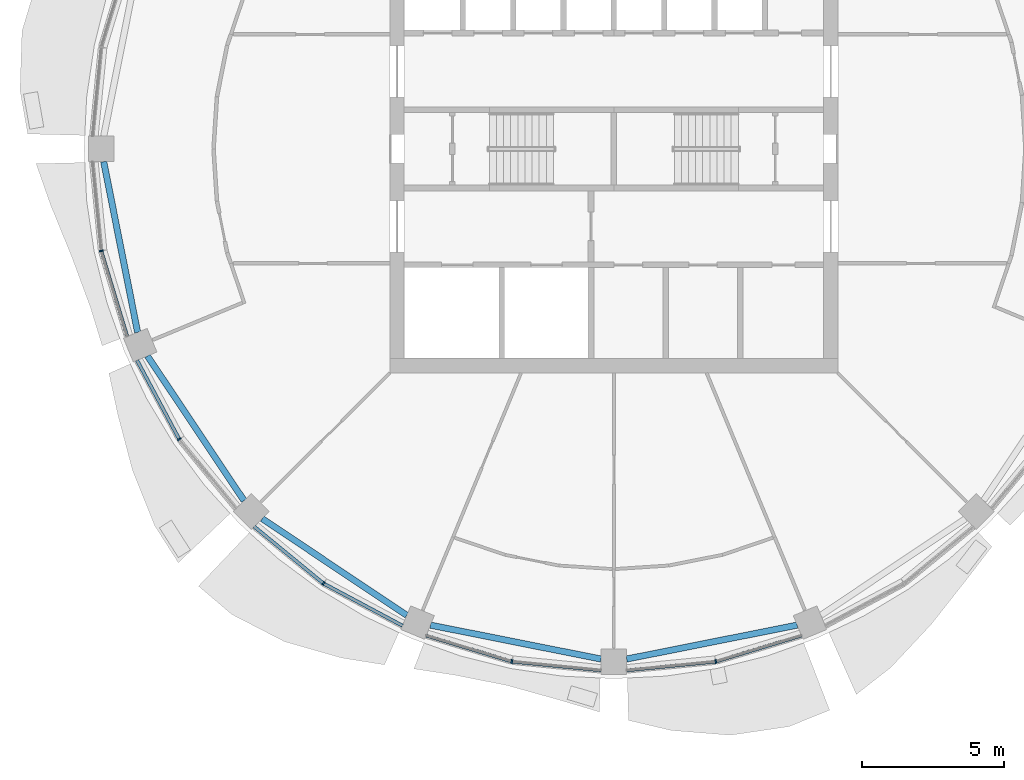
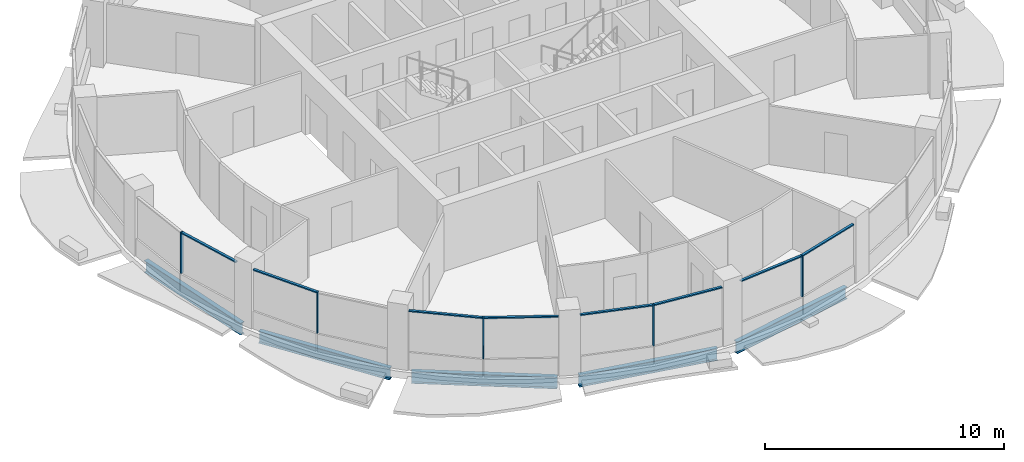
# One storey, part 2 of 15: 13 members, 5 beams, 5 elements without a shape of their own.
"""IFC4 building model written with IfcOpenShell, lengths in metres."""

from ifc_helpers import new_model, si_unit, direction, frame, origin, origin_2d, place, context, subcontext, project, spatial, rectangle, i_section, extrude, material, material_profile, profile_set, type_object, element, aggregate, save


model = new_model("IFC4")

# Units and contexts
model_context = context("Model", 3, precision=1e-05, world=origin(), true_north=direction((0.0, 1.0)))
body_context = subcontext(model_context, "Body", "Model", "MODEL_VIEW")
ifc_project = project(units=[si_unit("LENGTHUNIT", "METRE"), si_unit("AREAUNIT", "SQUARE_METRE"), si_unit("VOLUMEUNIT", "CUBIC_METRE"), si_unit("PLANEANGLEUNIT", "RADIAN"), si_unit("MASSUNIT", "GRAM", prefix="KILO")], contexts=[model_context])

# Site, building, storey
site_placement = place(None, origin())
site = spatial("IfcSite", under=ifc_project, at=site_placement, CompositionType="ELEMENT")
building_placement = place(site_placement, origin())
building = spatial("IfcBuilding", under=site, at=building_placement, Name="Polderwave Tower", CompositionType="ELEMENT")
storey_placement = place(building_placement, frame((0.0, 0.0, 177.60009765625)))
storey = spatial("IfcBuildingStorey", under=building, at=storey_placement, Name="L47", CompositionType="ELEMENT", Elevation=177.60009765625)

# Curtain wall, member
ifc_material_1 = material(Name="Aluminium 6063-T6 and glass", Category="aluminium")
curtain_wall_type = type_object("IfcCurtainWallType", Name="Office ribbon glazing wall", PredefinedType="NOTDEFINED", material=ifc_material_1)
curtain_wall_1_placement = place(storey_placement, origin())
curtain_wall_1 = element("IfcCurtainWall", 1, at=curtain_wall_1_placement, inside=storey, type_object=curtain_wall_type, Name="CW3 L47 08", PredefinedType="NOTDEFINED")
ifc_material_2 = material(Name="Aluminium 6063-T6", Category="aluminium")
ifc_material_profile_1 = material_profile(ifc_material_2, rectangle(XDim=0.139892578125, YDim=0.054931640625, at=origin_2d()), Name="AL 55x140")
ifc_profile_set_1 = profile_set([ifc_material_profile_1], Name="Aluminium 6063-T6")
member_type_1 = type_object("IfcMemberType", Name="Office ribbon glazing mullion 55x140", PredefinedType="MULLION", material=ifc_profile_set_1)
member_1_placement = place(storey_placement, frame((-18.01708984375, -3.583984375, 0.89990234375), z_axis=(0.0, 0.0, 1.0), x_axis=(0.980774723565, 0.195143387321, 0.0)))
member_1 = element("IfcMember", 2, at=member_1_placement, type_object=member_type_1, Name="CW3 mullion 1", PredefinedType="MULLION", context=body_context, shape_type="SweptSolid", body=[
    extrude(rectangle(XDim=0.139892578125, YDim=0.054931640625, at=origin_2d()), origin(), (0.0, 0.0, 1.0), 2.10009765625),
])

curtain_wall_2_placement = place(storey_placement, origin())
curtain_wall_2 = element("IfcCurtainWall", 3, at=curtain_wall_2_placement, inside=storey, type_object=curtain_wall_type, Name="CW3 L47 09", PredefinedType="NOTDEFINED")
member_2_placement = place(storey_placement, frame((-15.27392578125, -10.2060546875, 0.89990234375), z_axis=(0.0, 0.0, 1.0), x_axis=(0.83138621278, 0.555695028949, 0.0)))
member_2 = element("IfcMember", 4, at=member_2_placement, type_object=member_type_1, Name="CW3 mullion 1", PredefinedType="MULLION", context=body_context, shape_type="SweptSolid", body=[
    extrude(rectangle(XDim=0.139892578125, YDim=0.054931640625, at=origin_2d()), origin(), (0.0, 0.0, 1.0), 2.10009765625),
])

curtain_wall_3_placement = place(storey_placement, origin())
curtain_wall_3 = element("IfcCurtainWall", 5, at=curtain_wall_3_placement, inside=storey, type_object=curtain_wall_type, Name="CW3 L47 10", PredefinedType="NOTDEFINED")
member_3_placement = place(storey_placement, frame((-10.2060546875, -15.27392578125, 0.89990234375), z_axis=(0.0, 0.0, 1.0), x_axis=(0.555695028949, 0.83138621278, 0.0)))
member_3 = element("IfcMember", 6, at=member_3_placement, type_object=member_type_1, Name="CW3 mullion 1", PredefinedType="MULLION", context=body_context, shape_type="SweptSolid", body=[
    extrude(rectangle(XDim=0.139892578125, YDim=0.054931640625, at=origin_2d()), origin(), (0.0, 0.0, 1.0), 2.10009765625),
])

curtain_wall_4_placement = place(storey_placement, origin())
curtain_wall_4 = element("IfcCurtainWall", 7, at=curtain_wall_4_placement, inside=storey, type_object=curtain_wall_type, Name="CW3 L47 11", PredefinedType="NOTDEFINED")
member_4_placement = place(storey_placement, frame((-3.583984375, -18.01708984375, 0.89990234375), z_axis=(0.0, 0.0, 1.0), x_axis=(0.195143387321, 0.980774723565, 0.0)))
member_4 = element("IfcMember", 8, at=member_4_placement, type_object=member_type_1, Name="CW3 mullion 1", PredefinedType="MULLION", context=body_context, shape_type="SweptSolid", body=[
    extrude(rectangle(XDim=0.139892578125, YDim=0.054931640625, at=origin_2d()), origin(), (0.0, 0.0, 1.0), 2.10009765625),
])

curtain_wall_5_placement = place(storey_placement, origin())
curtain_wall_5 = element("IfcCurtainWall", 9, at=curtain_wall_5_placement, inside=storey, type_object=curtain_wall_type, Name="CW3 L47 12", PredefinedType="NOTDEFINED")
member_5_placement = place(storey_placement, frame((3.583984375, -18.01708984375, 0.89990234375), z_axis=(0.0, 0.0, 1.0), x_axis=(-0.195143387321, 0.980774723565, 0.0)))
member_5 = element("IfcMember", 10, at=member_5_placement, type_object=member_type_1, Name="CW3 mullion 1", PredefinedType="MULLION", context=body_context, shape_type="SweptSolid", body=[
    extrude(rectangle(XDim=0.139892578125, YDim=0.054931640625, at=origin_2d()), origin(), (0.0, 0.0, 1.0), 2.10009765625),
])

# Member
ifc_material_profile_2 = material_profile(ifc_material_2, rectangle(XDim=0.1201171875, YDim=0.06005859375, at=origin_2d()), Name="AL 60x120")
ifc_profile_set_2 = profile_set([ifc_material_profile_2], Name="Aluminium 6063-T6")
member_type_2 = type_object("IfcMemberType", Name="Office ribbon glazing transom 60x120", PredefinedType="USERDEFINED", material=ifc_profile_set_2)
member_6_placement = place(storey_placement, frame((-18.009033203125, -3.6103515625, 2.969970703125), z_axis=(0.290296140087, -0.956936858445, 0.0), x_axis=(0.956936858445, 0.290296140087, 0.0)))
member_6 = element("IfcMember", 11, at=member_6_placement, type_object=member_type_2, Name="CW3 transom 2", ObjectType="TRANSOM", PredefinedType="USERDEFINED", context=body_context, shape_type="SweptSolid", body=[
    extrude(rectangle(XDim=0.1201171875, YDim=0.06005859375, at=origin_2d()), origin(), (0.0, 0.0, 1.0), 3.120849609375),
])

aggregate(curtain_wall_1, [member_1, member_6])

member_7_placement = place(storey_placement, frame((-16.759033203125, -7.428955078125, 2.969970703125), z_axis=(0.471541933761, -0.881843639601, 0.0), x_axis=(0.881843639601, 0.471541933761, 0.0)))
member_7 = element("IfcMember", 12, at=member_7_placement, type_object=member_type_2, Name="CW3 transom 1", ObjectType="TRANSOM", PredefinedType="USERDEFINED", context=body_context, shape_type="SweptSolid", body=[
    extrude(rectangle(XDim=0.1201171875, YDim=0.06005859375, at=origin_2d()), origin(), (0.0, 0.0, 1.0), 3.12158203125),
])

aggregate(curtain_wall_2, [member_2, member_7])

member_8_placement = place(storey_placement, frame((-12.639892578125, -13.27587890625, 2.969970703125), z_axis=(0.772893374383, -0.634535918475, 0.0), x_axis=(0.634535918475, 0.772893374383, 0.0)))
member_8 = element("IfcMember", 13, at=member_8_placement, type_object=member_type_2, Name="CW3 transom 1", ObjectType="TRANSOM", PredefinedType="USERDEFINED", context=body_context, shape_type="SweptSolid", body=[
    extrude(rectangle(XDim=0.1201171875, YDim=0.06005859375, at=origin_2d()), origin(), (0.0, 0.0, 1.0), 3.12158203125),
])

member_9_placement = place(storey_placement, frame((-10.181640625, -15.287109375, 2.969970703125), z_axis=(0.881843639601, -0.471541933761, 0.0), x_axis=(0.471541933761, 0.881843639601, 0.0)))
member_9 = element("IfcMember", 14, at=member_9_placement, type_object=member_type_2, Name="CW3 transom 2", ObjectType="TRANSOM", PredefinedType="USERDEFINED", context=body_context, shape_type="SweptSolid", body=[
    extrude(rectangle(XDim=0.1201171875, YDim=0.06005859375, at=origin_2d()), origin(), (0.0, 0.0, 1.0), 3.12158203125),
])

aggregate(curtain_wall_3, [member_3, member_8, member_9])

member_10_placement = place(storey_placement, frame((-6.596923828125, -17.10302734375, 2.969970703125), z_axis=(0.956936858445, -0.290296140087, 0.0), x_axis=(0.290296140087, 0.956936858445, 0.0)))
member_10 = element("IfcMember", 15, at=member_10_placement, type_object=member_type_2, Name="CW3 transom 1", ObjectType="TRANSOM", PredefinedType="USERDEFINED", context=body_context, shape_type="SweptSolid", body=[
    extrude(rectangle(XDim=0.1201171875, YDim=0.06005859375, at=origin_2d()), origin(), (0.0, 0.0, 1.0), 3.120849609375),
])

member_11_placement = place(storey_placement, frame((-3.556640625, -18.019775390625, 2.969970703125), z_axis=(0.995179408841, -0.098071118168, 0.0), x_axis=(0.098071118168, 0.995179408841, 0.0)))
member_11 = element("IfcMember", 16, at=member_11_placement, type_object=member_type_2, Name="CW3 transom 2", ObjectType="TRANSOM", PredefinedType="USERDEFINED", context=body_context, shape_type="SweptSolid", body=[
    extrude(rectangle(XDim=0.1201171875, YDim=0.06005859375, at=origin_2d()), origin(), (0.0, 0.0, 1.0), 3.121826171875),
])

aggregate(curtain_wall_4, [member_4, member_10, member_11])

member_12_placement = place(storey_placement, frame((0.449951171875, -18.325927734375, 2.969970703125), z_axis=(0.995179408841, 0.098071118168, 0.0), x_axis=(-0.098071118168, 0.995179408841, 0.0)))
member_12 = element("IfcMember", 17, at=member_12_placement, type_object=member_type_2, Name="CW3 transom 1", ObjectType="TRANSOM", PredefinedType="USERDEFINED", context=body_context, shape_type="SweptSolid", body=[
    extrude(rectangle(XDim=0.1201171875, YDim=0.06005859375, at=origin_2d()), origin(), (0.0, 0.0, 1.0), 3.121826171875),
])

member_13_placement = place(storey_placement, frame((3.6103515625, -18.009033203125, 2.969970703125), z_axis=(0.956936858445, 0.290296140087, 0.0), x_axis=(-0.290296140087, 0.956936858445, 0.0)))
member_13 = element("IfcMember", 18, at=member_13_placement, type_object=member_type_2, Name="CW3 transom 2", ObjectType="TRANSOM", PredefinedType="USERDEFINED", context=body_context, shape_type="SweptSolid", body=[
    extrude(rectangle(XDim=0.1201171875, YDim=0.06005859375, at=origin_2d()), origin(), (0.0, 0.0, 1.0), 3.120849609375),
])

aggregate(curtain_wall_5, [member_5, member_12, member_13])

# Beams
ifc_material_3 = material(Name="Steel S355", Category="steel")
ifc_material_profile_3 = material_profile(ifc_material_3, i_section(OverallWidth=0.219970703125, OverallDepth=0.60009765625, WebThickness=0.011962890625, FlangeThickness=0.01904296875, at=origin_2d()), Name="IPE 600")
ifc_profile_set_3 = profile_set([ifc_material_profile_3], Name="Steel S355")
beam_type = type_object("IfcBeamType", Name="RING BEAM IPE 600", PredefinedType="BEAM", material=ifc_profile_set_3)
for number, where, z_axis, x_axis, name in (
    (19, (-17.930419921875, -0.449951171875, -0.650146484375), (0.195079268525, -0.980787479014, 0.0), (0.980787479014, 0.195079268525, 0.0), "ST-RB-L47-08"),
    (20, (-16.393310546875, -7.27734375, -0.650146484375), (0.555538553645, -0.831490778911, 0.0), (0.831490778911, 0.555538553645, 0.0), "ST-RB-L47-09"),
    (21, (-12.360595703125, -12.9970703125, -0.650146484375), (0.831490778911, -0.555538553645, 0.0), (0.555538553645, 0.831490778911, 0.0), "ST-RB-L47-10"),
    (22, (-6.446044921875, -16.73779296875, -0.650146484375), (0.980787479014, -0.195079268525, 0.0), (0.195079268525, 0.980787479014, 0.0), "ST-RB-L47-11"),
    (23, (0.449951171875, -17.930419921875, -0.650146484375), (0.980787479014, 0.195079268525, 0.0), (-0.195079268525, 0.980787479014, 0.0), "ST-RB-L47-12"),
):
    element("IfcBeam", number, at=place(storey_placement, frame(where, z_axis=z_axis, x_axis=x_axis)), inside=storey, type_object=beam_type, Name=name, PredefinedType="BEAM", context=body_context, shape_type="SweptSolid", body=[
        extrude(i_section(OverallWidth=0.219970703125, OverallDepth=0.60009765625, WebThickness=0.011962890625, FlangeThickness=0.01904296875, at=origin_2d()), origin(), (0.0, 0.0, 1.0), 6.113525390625),
    ])

save(model, "model.ifc")
